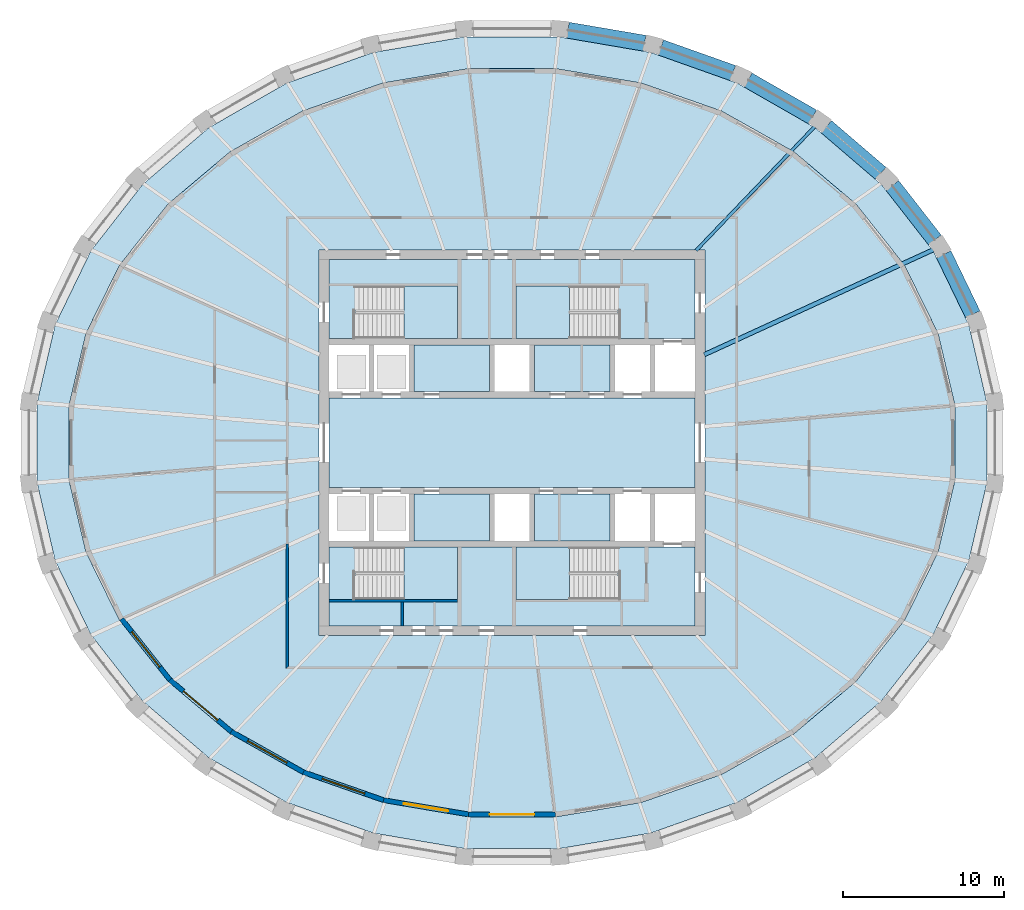
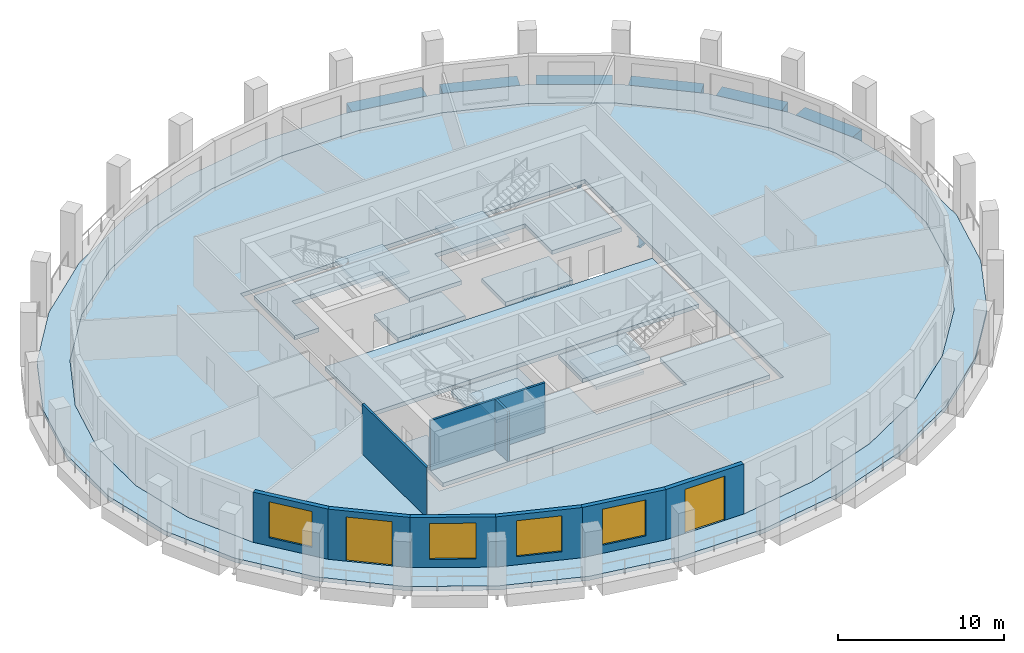
# One storey, part 2 of 10: 13 slabs, 9 walls, 8 beams, 4 windows, 2 doors, 6 openings, 4 elements without a shape of their own.
"""IFC4 building model written with IfcOpenShell, lengths in metres."""

from ifc_helpers import new_model, si_unit, direction, frame, frame_2d, origin, origin_2d, place, context, subcontext, project, spatial, polyline, rectangle, i_section, outline, extrude, material, layer, layer_set, material_profile, profile_set, type_object, element, fill, aggregate, save


model = new_model("IFC4")

# Units and contexts
model_context = context("Model", 3, precision=1e-05, world=origin(), true_north=direction((0.0, 1.0)))
body_context = subcontext(model_context, "Body", "Model", "MODEL_VIEW")
ifc_project = project(units=[si_unit("LENGTHUNIT", "METRE"), si_unit("AREAUNIT", "SQUARE_METRE"), si_unit("VOLUMEUNIT", "CUBIC_METRE"), si_unit("PLANEANGLEUNIT", "RADIAN"), si_unit("MASSUNIT", "GRAM", prefix="KILO")], contexts=[model_context])

# Site, building, storey
site_placement = place(None, origin())
site = spatial("IfcSite", under=ifc_project, at=site_placement, CompositionType="ELEMENT")
building_placement = place(site_placement, origin())
building = spatial("IfcBuilding", under=site, at=building_placement, Name="Halqa Exchange Tower", CompositionType="ELEMENT")
storey_placement = place(building_placement, frame((0.0, 0.0, 260.300048828125)))
storey = spatial("IfcBuildingStorey", under=building, at=storey_placement, Name="L60", CompositionType="ELEMENT", Elevation=260.300048828125)

# Beams
ifc_material_1 = material(Name="Steel S355", Category="steel")
ifc_material_profile_1 = material_profile(ifc_material_1, i_section(OverallWidth=0.18994140625, OverallDepth=0.449951171875, WebThickness=0.009521484375, FlangeThickness=0.0146484375, FilletRadius=0.02099609375, at=origin_2d()), Name="IPE 450")
ifc_profile_set_1 = profile_set([ifc_material_profile_1], Name="Steel S355")
beam_type_1 = type_object("IfcBeamType", Name="Floor beam IPE 450", PredefinedType="BEAM", material=ifc_profile_set_1)
beam_1_placement = place(storey_placement, frame((11.462890625, 11.97216796875, -0.525146484375), z_axis=(0.691571250257, 0.722308248477, 0.0), x_axis=(-0.722308248477, 0.691571250257, 0.0)))
element("IfcBeam", 1, at=beam_1_placement, inside=storey, type_object=beam_type_1, Name="Radial beam 5", PredefinedType="BEAM", context=body_context, shape_type="SweptSolid", body=[
    extrude(i_section(OverallWidth=0.18994140625, OverallDepth=0.449951171875, WebThickness=0.009521484375, FlangeThickness=0.0146484375, FilletRadius=0.02099609375, at=origin_2d()), origin(), (0.0, 0.0, 1.0), 10.8896484375),
])
ifc_material_profile_2 = material_profile(ifc_material_1, i_section(OverallWidth=0.264892578125, OverallDepth=0.7529296875, WebThickness=0.01318359375, FlangeThickness=0.01708984375, FilletRadius=0.01708984375, at=origin_2d()), Name="IPE 750x147")
ifc_profile_set_2 = profile_set([ifc_material_profile_2], Name="Steel S355")
beam_type_2 = type_object("IfcBeamType", Name="Floor beam IPE 750x147", PredefinedType="BEAM", material=ifc_profile_set_2)
beam_2_placement = place(storey_placement, frame((11.972412109375, 5.485107421875, -0.676513671875), z_axis=(0.909125405475, 0.416522504938, 0.0), x_axis=(-0.416522504938, 0.909125405475, 0.0)))
element("IfcBeam", 2, at=beam_2_placement, inside=storey, type_object=beam_type_2, Name="Radial beam 3", PredefinedType="BEAM", context=body_context, shape_type="SweptSolid", body=[
    extrude(i_section(OverallWidth=0.264892578125, OverallDepth=0.7529296875, WebThickness=0.01318359375, FlangeThickness=0.01708984375, FilletRadius=0.01708984375, at=origin_2d()), origin(), (0.0, 0.0, 1.0), 15.897216796875),
])
ifc_material_2 = material(Name="Concrete C60/75", Category="concrete")
ifc_material_profile_3 = material_profile(ifc_material_2, rectangle(XDim=1.0, YDim=0.89990234375, at=origin_2d()), Name="1000 x 900")
ifc_profile_set_3 = profile_set([ifc_material_profile_3], Name="Concrete C60/75")
beam_type_3 = type_object("IfcBeamType", Name="RC spandrel beam 1000 x 900 C60/75", PredefinedType="SPANDREL", material=ifc_profile_set_3)
beam_3_placement = place(storey_placement, frame((28.68115234375, 7.989501953125, -0.449951171875), z_axis=(-0.435052831025, 0.900404927917, 0.0), x_axis=(-0.900404927917, -0.435052831025, 0.0)))
element("IfcBeam", 3, at=beam_3_placement, inside=storey, type_object=beam_type_3, Name="Spandrel 2", PredefinedType="SPANDREL", context=body_context, shape_type="SweptSolid", body=[
    extrude(rectangle(XDim=1.0, YDim=0.89990234375, at=origin_2d()), origin(), (0.0, 0.0, 1.0), 4.15771484375),
])
beam_4_placement = place(storey_placement, frame((26.32080078125, 12.62060546875, -0.449951171875), z_axis=(-0.614851813623, 0.788642661339, 0.0), x_axis=(-0.788642661339, -0.614851813623, 0.0)))
element("IfcBeam", 4, at=beam_4_placement, inside=storey, type_object=beam_type_3, Name="Spandrel 3", PredefinedType="SPANDREL", context=body_context, shape_type="SweptSolid", body=[
    extrude(rectangle(XDim=1.0, YDim=0.89990234375, at=origin_2d()), origin(), (0.0, 0.0, 1.0), 4.301513671875),
])
beam_5_placement = place(storey_placement, frame((22.955078125, 16.7685546875, -0.449951171875), z_axis=(-0.75927203536, 0.650773367864, 0.0), x_axis=(-0.650773367864, -0.75927203536, 0.0)))
element("IfcBeam", 5, at=beam_5_placement, inside=storey, type_object=beam_type_3, Name="Spandrel 4", PredefinedType="SPANDREL", context=body_context, shape_type="SweptSolid", body=[
    extrude(rectangle(XDim=1.0, YDim=0.89990234375, at=origin_2d()), origin(), (0.0, 0.0, 1.0), 4.466552734375),
])
beam_6_placement = place(storey_placement, frame((18.7109375, 20.277099609375, -0.449951171875), z_axis=(-0.867755612748, 0.496991143326, 0.0), x_axis=(-0.496991143326, -0.867755612748, 0.0)))
element("IfcBeam", 6, at=beam_6_placement, inside=storey, type_object=beam_type_3, Name="Spandrel 5", PredefinedType="SPANDREL", context=body_context, shape_type="SweptSolid", body=[
    extrude(rectangle(XDim=1.0, YDim=0.89990234375, at=origin_2d()), origin(), (0.0, 0.0, 1.0), 4.62646484375),
])
beam_7_placement = place(storey_placement, frame((13.747802734375, 23.01220703125, -0.449951171875), z_axis=(-0.942372957307, 0.334564208094, 0.0), x_axis=(-0.334564208094, -0.942372957307, 0.0)))
element("IfcBeam", 7, at=beam_7_placement, inside=storey, type_object=beam_type_3, Name="Spandrel 6", PredefinedType="SPANDREL", context=body_context, shape_type="SweptSolid", body=[
    extrude(rectangle(XDim=1.0, YDim=0.89990234375, at=origin_2d()), origin(), (0.0, 0.0, 1.0), 4.7578125),
])
beam_8_placement = place(storey_placement, frame((8.252685546875, 24.867919921875, -0.449951171875), z_axis=(-0.985781051948, 0.168034870249, 0.0), x_axis=(-0.168034870249, -0.985781051948, 0.0)))
element("IfcBeam", 8, at=beam_8_placement, inside=storey, type_object=beam_type_3, Name="Spandrel 7", PredefinedType="SPANDREL", context=body_context, shape_type="SweptSolid", body=[
    extrude(rectangle(XDim=1.0, YDim=0.89990234375, at=origin_2d()), origin(), (0.0, 0.0, 1.0), 4.843994140625),
])

# Slabs
ifc_layer_1 = layer(ifc_material_2, 0.300048828125)
ifc_layer_set_1 = layer_set([ifc_layer_1], Name="Concrete C60/75")
slab_type_1 = type_object("IfcSlabType", Name="Core floor slab 300", PredefinedType="FLOOR", material=ifc_layer_set_1)
slab_1_placement = place(storey_placement, frame((0.0, 0.0, -0.300048828125)))
element("IfcSlab", 9, at=slab_1_placement, inside=storey, type_object=slab_type_1, Name="Core floor slab", PredefinedType="FLOOR", context=body_context, shape_type="SweptSolid", body=[
    extrude(outline(polyline([(-11.39990234375, 2.800048828125), (11.39990234375, 2.800048828125), (11.39990234375, -2.800048828125), (-11.39990234375, -2.800048828125), (-11.39990234375, 2.800048828125)])), origin(), (0.0, 0.0, 1.0), 0.300048828125),
])
slab_2_placement = place(storey_placement, frame((0.0, 0.0, -0.300048828125)))
element("IfcSlab", 10, at=slab_2_placement, inside=storey, type_object=slab_type_1, Name="Core floor slab", PredefinedType="FLOOR", context=body_context, shape_type="SweptSolid", body=[
    extrude(outline(polyline([(-11.39990234375, 11.39990234375), (11.39990234375, 11.39990234375), (11.39990234375, 6.5), (6.550048828125, 6.5), (6.550048828125, 9.75), (0.25, 9.75), (0.25, 6.5), (-3.39990234375, 6.5), (-3.39990234375, 9.75), (-9.699951171875, 9.75), (-9.699951171875, 6.5), (-11.39990234375, 6.5), (-11.39990234375, 11.39990234375)])), origin(), (0.0, 0.0, 1.0), 0.300048828125),
])
slab_3_placement = place(storey_placement, frame((0.0, 0.0, -0.300048828125)))
element("IfcSlab", 11, at=slab_3_placement, inside=storey, type_object=slab_type_1, Name="Core floor slab", PredefinedType="FLOOR", context=body_context, shape_type="SweptSolid", body=[
    extrude(outline(polyline([(-11.39990234375, -6.5), (-9.699951171875, -6.5), (-9.699951171875, -9.75), (-3.39990234375, -9.75), (-3.39990234375, -6.5), (0.25, -6.5), (0.25, -9.75), (6.550048828125, -9.75), (6.550048828125, -6.5), (11.39990234375, -6.5), (11.39990234375, -11.39990234375), (-11.39990234375, -11.39990234375), (-11.39990234375, -6.5)])), origin(), (0.0, 0.0, 1.0), 0.300048828125),
])
slab_4_placement = place(storey_placement, frame((0.0, 0.0, -0.300048828125)))
element("IfcSlab", 12, at=slab_4_placement, inside=storey, type_object=slab_type_1, Name="Core floor slab", PredefinedType="FLOOR", context=body_context, shape_type="SweptSolid", body=[
    extrude(outline(polyline([(-1.39990234375, -3.199951171875), (-1.39990234375, -6.10009765625), (-6.10009765625, -6.10009765625), (-6.10009765625, -3.199951171875), (-1.39990234375, -3.199951171875)])), origin(), (0.0, 0.0, 1.0), 0.300048828125),
])
slab_5_placement = place(storey_placement, frame((0.0, 0.0, -0.300048828125)))
element("IfcSlab", 13, at=slab_5_placement, inside=storey, type_object=slab_type_1, Name="Core floor slab", PredefinedType="FLOOR", context=body_context, shape_type="SweptSolid", body=[
    extrude(outline(polyline([(-1.39990234375, 3.199951171875), (-6.10009765625, 3.199951171875), (-6.10009765625, 6.10009765625), (-1.39990234375, 6.10009765625), (-1.39990234375, 3.199951171875)])), origin(), (0.0, 0.0, 1.0), 0.300048828125),
])
slab_6_placement = place(storey_placement, frame((0.0, 0.0, -0.300048828125)))
element("IfcSlab", 14, at=slab_6_placement, inside=storey, type_object=slab_type_1, Name="Core floor slab", PredefinedType="FLOOR", context=body_context, shape_type="SweptSolid", body=[
    extrude(outline(polyline([(6.10009765625, -3.199951171875), (6.10009765625, -6.10009765625), (1.39990234375, -6.10009765625), (1.39990234375, -3.199951171875), (6.10009765625, -3.199951171875)])), origin(), (0.0, 0.0, 1.0), 0.300048828125),
])
slab_7_placement = place(storey_placement, frame((0.0, 0.0, -0.300048828125)))
element("IfcSlab", 15, at=slab_7_placement, inside=storey, type_object=slab_type_1, Name="Core floor slab", PredefinedType="FLOOR", context=body_context, shape_type="SweptSolid", body=[
    extrude(outline(polyline([(6.10009765625, 6.10009765625), (6.10009765625, 3.199951171875), (1.39990234375, 3.199951171875), (1.39990234375, 6.10009765625), (6.10009765625, 6.10009765625)])), origin(), (0.0, 0.0, 1.0), 0.300048828125),
])
ifc_material_3 = material(Name="Concrete C40/50", Category="concrete")
ifc_layer_2 = layer(ifc_material_3, 0.300048828125)
ifc_layer_set_2 = layer_set([ifc_layer_2], Name="Concrete C40/50")
slab_type_2 = type_object("IfcSlabType", Name="RC floor slab 300", PredefinedType="FLOOR", material=ifc_layer_set_2)
slab_8_placement = place(storey_placement, frame((0.0, 0.0, -0.300048828125)))
element("IfcSlab", 16, at=slab_8_placement, inside=storey, type_object=slab_type_2, Name="Floor slab", PredefinedType="FLOOR", context=body_context, shape_type="SweptSolid", body=[
    extrude(outline(polyline([(27.57861328125, 2.298583984375), (26.514404296875, 6.805908203125), (24.428955078125, 11.048095703125), (21.40478515625, 14.861083984375), (17.560791015625, 18.10009765625), (13.045166015625, 20.64208984375), (8.031494140625, 22.391845703125), (2.711669921875, 23.283447265625), (-2.711669921875, 23.283447265625), (-8.031494140625, 22.391845703125), (-13.045166015625, 20.64208984375), (-17.560791015625, 18.10009765625), (-21.40478515625, 14.861083984375), (-24.428955078125, 11.048095703125), (-26.514404296875, 6.805908203125), (-27.57861328125, 2.298583984375), (-27.57861328125, -2.298583984375), (-26.514404296875, -6.805908203125), (-24.428955078125, -11.048095703125), (-21.40478515625, -14.861083984375), (-17.560791015625, -18.10009765625), (-13.045166015625, -20.64208984375), (-8.031494140625, -22.391845703125), (-2.711669921875, -23.283447265625), (2.711669921875, -23.283447265625), (8.031494140625, -22.391845703125), (13.045166015625, -20.64208984375), (17.560791015625, -18.10009765625), (21.40478515625, -14.861083984375), (24.428955078125, -11.048095703125), (26.514404296875, -6.805908203125), (27.57861328125, -2.298583984375), (27.57861328125, 2.298583984375)]), holes=[polyline([(-12.0, -12.0), (12.0, -12.0), (12.0, 12.0), (-12.0, 12.0), (-12.0, -12.0)])]), origin(), (0.0, 0.0, 1.0), 0.300048828125),
])
ifc_layer_3 = layer(ifc_material_3, 0.300048828125)
ifc_layer_set_3 = layer_set([ifc_layer_3], Name="Concrete C40/50")
slab_type_3 = type_object("IfcSlabType", Name="RC loggia slab 300", PredefinedType="FLOOR", material=ifc_layer_set_3)
slab_9_placement = place(storey_placement, frame((0.0, 0.0, -0.300048828125)))
element("IfcSlab", 17, at=slab_9_placement, inside=storey, type_object=slab_type_3, Name="Loggia slab", PredefinedType="FLOOR", context=body_context, shape_type="SweptSolid", body=[
    extrude(outline(polyline([(29.56494140625, 2.480712890625), (29.56494140625, -2.480712890625), (28.43505859375, -7.349609375), (26.21630859375, -11.94140625), (22.989501953125, -16.080322265625), (18.875732421875, -19.6064453125), (14.031494140625, -22.380859375), (8.64306640625, -24.294189453125), (2.918701171875, -25.27001953125), (-2.918701171875, -25.27001953125), (-8.64306640625, -24.294189453125), (-14.031494140625, -22.380859375), (-18.875732421875, -19.6064453125), (-22.989501953125, -16.080322265625), (-26.21630859375, -11.94140625), (-28.43505859375, -7.349609375), (-29.56494140625, -2.480712890625), (-29.56494140625, 2.480712890625), (-28.43505859375, 7.349609375), (-26.21630859375, 11.94140625), (-22.989501953125, 16.080322265625), (-18.875732421875, 19.6064453125), (-14.031494140625, 22.380859375), (-8.64306640625, 24.294189453125), (-2.918701171875, 25.27001953125), (2.918701171875, 25.27001953125), (8.64306640625, 24.294189453125), (14.031494140625, 22.380859375), (18.875732421875, 19.6064453125), (22.989501953125, 16.080322265625), (26.21630859375, 11.94140625), (28.43505859375, 7.349609375), (29.56494140625, 2.480712890625)]), holes=[polyline([(27.57861328125, 2.298583984375), (26.514404296875, 6.805908203125), (24.428955078125, 11.048095703125), (21.40478515625, 14.861083984375), (17.560791015625, 18.10009765625), (13.045166015625, 20.64208984375), (8.031494140625, 22.391845703125), (2.711669921875, 23.283447265625), (-2.711669921875, 23.283447265625), (-8.031494140625, 22.391845703125), (-13.045166015625, 20.64208984375), (-17.560791015625, 18.10009765625), (-21.40478515625, 14.861083984375), (-24.428955078125, 11.048095703125), (-26.514404296875, 6.805908203125), (-27.57861328125, 2.298583984375), (-27.57861328125, -2.298583984375), (-26.514404296875, -6.805908203125), (-24.428955078125, -11.048095703125), (-21.40478515625, -14.861083984375), (-17.560791015625, -18.10009765625), (-13.045166015625, -20.64208984375), (-8.031494140625, -22.391845703125), (-2.711669921875, -23.283447265625), (2.711669921875, -23.283447265625), (8.031494140625, -22.391845703125), (13.045166015625, -20.64208984375), (17.560791015625, -18.10009765625), (21.40478515625, -14.861083984375), (24.428955078125, -11.048095703125), (26.514404296875, -6.805908203125), (27.57861328125, -2.298583984375), (27.57861328125, 2.298583984375)])]), origin(), (0.0, 0.0, 1.0), 0.300048828125),
])

# Stair, slab
ifc_material_4 = material(Name="Concrete C30/37", Category="concrete")
stair_type = type_object("IfcStairType", Name="Exit stair 1500 wide", PredefinedType="HALF_TURN_STAIR", material=ifc_material_4)
stair_1_placement = place(storey_placement, origin())
stair_1 = element("IfcStair", 18, at=stair_1_placement, inside=storey, type_object=stair_type, Name="Exit stair ST1", PredefinedType="HALF_TURN_STAIR")
ifc_layer_4 = layer(ifc_material_4, 0.199951171875)
ifc_layer_set_4 = layer_set([ifc_layer_4], Name="Concrete C30/37")
slab_type_4 = type_object("IfcSlabType", Name="Stair landing 200 slab", PredefinedType="LANDING", material=ifc_layer_set_4)
slab_10_placement = place(storey_placement, frame((0.0, 0.0, 1.800048828125)))
slab_10 = element("IfcSlab", 19, at=slab_10_placement, type_object=slab_type_4, Name="ST1 landing 1", PredefinedType="LANDING", context=body_context, shape_type="SweptSolid", body=[
    extrude(outline(polyline([(-6.719970703125, 6.5), (-3.39990234375, 6.5), (-3.39990234375, 9.75), (-6.719970703125, 9.75), (-6.719970703125, 6.5)])), origin(), (0.0, 0.0, 1.0), 0.199951171875),
])
aggregate(stair_1, [slab_10])

stair_2_placement = place(storey_placement, origin())
stair_2 = element("IfcStair", 20, at=stair_2_placement, inside=storey, type_object=stair_type, Name="Exit stair ST2", PredefinedType="HALF_TURN_STAIR")
slab_11_placement = place(storey_placement, frame((0.0, 0.0, 1.800048828125)))
slab_11 = element("IfcSlab", 21, at=slab_11_placement, type_object=slab_type_4, Name="ST2 landing 1", PredefinedType="LANDING", context=body_context, shape_type="SweptSolid", body=[
    extrude(outline(polyline([(0.25, 6.5), (3.570068359375, 6.5), (3.570068359375, 9.75), (0.25, 9.75), (0.25, 6.5)])), origin(), (0.0, 0.0, 1.0), 0.199951171875),
])
aggregate(stair_2, [slab_11])

stair_3_placement = place(storey_placement, origin())
stair_3 = element("IfcStair", 22, at=stair_3_placement, inside=storey, type_object=stair_type, Name="Exit stair ST3", PredefinedType="HALF_TURN_STAIR")
slab_12_placement = place(storey_placement, frame((0.0, 0.0, 1.800048828125)))
slab_12 = element("IfcSlab", 23, at=slab_12_placement, type_object=slab_type_4, Name="ST3 landing 1", PredefinedType="LANDING", context=body_context, shape_type="SweptSolid", body=[
    extrude(outline(polyline([(-6.719970703125, -9.75), (-3.39990234375, -9.75), (-3.39990234375, -6.5), (-6.719970703125, -6.5), (-6.719970703125, -9.75)])), origin(), (0.0, 0.0, 1.0), 0.199951171875),
])
aggregate(stair_3, [slab_12])

stair_4_placement = place(storey_placement, origin())
stair_4 = element("IfcStair", 24, at=stair_4_placement, inside=storey, type_object=stair_type, Name="Exit stair ST4", PredefinedType="HALF_TURN_STAIR")
slab_13_placement = place(storey_placement, frame((0.0, 0.0, 1.800048828125)))
slab_13 = element("IfcSlab", 25, at=slab_13_placement, type_object=slab_type_4, Name="ST4 landing 1", PredefinedType="LANDING", context=body_context, shape_type="SweptSolid", body=[
    extrude(outline(polyline([(0.25, -9.75), (3.570068359375, -9.75), (3.570068359375, -6.5), (0.25, -6.5), (0.25, -9.75)])), origin(), (0.0, 0.0, 1.0), 0.199951171875),
])
aggregate(stair_4, [slab_13])

# Walls
ifc_material_5 = material(Name="Fire-rated gypsum board")
ifc_layer_5 = layer(ifc_material_5, 0.14990234375)
ifc_layer_set_5 = layer_set([ifc_layer_5], Name="Fire-rated gypsum board")
wall_type_1 = type_object("IfcWallType", Name="Fire partition EI 60 150", PredefinedType="PARTITIONING", material=ifc_layer_set_5)
wall_1_placement = place(storey_placement, frame((-14.0, -14.074951171875, 0.0), z_axis=(0.0, 0.0, 1.0), x_axis=(0.0, 1.0, 0.0)))
element("IfcWall", 26, at=wall_1_placement, inside=storey, type_object=wall_type_1, Name="L60-PWL-006", PredefinedType="PARTITIONING", context=body_context, shape_type="SweptSolid", body=[
    extrude(outline(polyline([(7.77490234375, 0.074951171875), (5.8310546875, 0.074951171875), (3.887451171875, 0.074951171875), (1.94384765625, 0.074951171875), (0.0, 0.074951171875), (0.14990234375, -0.074951171875), (2.05615234375, -0.074951171875), (3.96240234375, -0.074951171875), (5.86865234375, -0.074951171875), (7.77490234375, -0.074951171875), (7.77490234375, 0.074951171875)])), origin(), (0.0, 0.0, 1.0), 3.699951171875),
])
ifc_material_6 = material(Name="Gypsum board")
ifc_layer_6 = layer(ifc_material_6, 0.14990234375)
ifc_layer_set_6 = layer_set([ifc_layer_6], Name="Gypsum board")
wall_type_2 = type_object("IfcWallType", Name="Penthouse riser wall 150 gypsum", PredefinedType="PARTITIONING", material=ifc_layer_set_6)
wall_2_placement = place(storey_placement, frame((-6.824951171875, -11.39990234375, 0.0), z_axis=(0.0, 0.0, 1.0), x_axis=(0.0, 1.0, 0.0)))
element("IfcWall", 27, at=wall_2_placement, inside=storey, type_object=wall_type_2, Name="Partition W6.825 S", PredefinedType="PARTITIONING", context=body_context, shape_type="SweptSolid", body=[
    extrude(rectangle(XDim=1.5, YDim=0.14990234375, at=frame_2d((0.75, 0.0))), origin(), (0.0, 0.0, 1.0), 3.699951171875),
])
ifc_layer_7 = layer(ifc_material_4, 0.14990234375)
ifc_layer_set_7 = layer_set([ifc_layer_7], Name="Concrete C30/37")
wall_type_3 = type_object("IfcWallType", Name="RC stair wall 150 C30/37", PredefinedType="SHEAR", material=ifc_layer_set_7)
wall_3_placement = place(storey_placement, frame((-11.39990234375, -9.824951171875, 0.0), z_axis=(0.0, 0.0, 1.0), x_axis=(1.0, 0.0, 0.0)))
element("IfcWall", 28, at=wall_3_placement, inside=storey, type_object=wall_type_3, Name="Stair ST1 north wall S", PredefinedType="SHEAR", context=body_context, shape_type="SweptSolid", body=[
    extrude(rectangle(XDim=8.0, YDim=0.14990234375, at=frame_2d((4.0, 0.0))), origin(), (0.0, 0.0, 1.0), 3.699951171875),
])

# Wall, opening, window
ifc_material_7 = material(Name="Limestone cladding", Category="masonry")
ifc_layer_8 = layer(ifc_material_7, 0.0400390625)
ifc_material_8 = material(Name="Ventilated cavity")
ifc_layer_9 = layer(ifc_material_8, 0.030029296875, ventilated=True)
ifc_material_9 = material(Name="Mineral wool insulation")
ifc_layer_10 = layer(ifc_material_9, 0.10009765625)
ifc_layer_11 = layer(ifc_material_4, 0.10009765625)
ifc_material_10 = material(Name="Internal plaster")
ifc_layer_12 = layer(ifc_material_10, 0.030029296875)
ifc_layer_set_8 = layer_set([ifc_layer_8, ifc_layer_9, ifc_layer_10, ifc_layer_11, ifc_layer_12], Name="Stone-faced insulated wall 300")
wall_type_4 = type_object("IfcWallType", Name="Stone-faced insulated wall 300", PredefinedType="STANDARD", material=ifc_layer_set_8)
wall_4_placement = place(storey_placement, frame((-24.301513671875, -10.96728515625, 0.0), z_axis=(0.0, 0.0, 1.0), x_axis=(0.621358373565, -0.783526497063, 0.0)))
wall_4 = element("IfcWall", 29, at=wall_4_placement, inside=storey, type_object=wall_type_4, Name="Glass-line wall 19", PredefinedType="STANDARD", context=body_context, shape_type="SweptSolid", body=[
    extrude(outline(polyline([(-0.01611328125, -0.14990234375), (4.850830078125, -0.14990234375), (4.820556640625, 0.14990234375), (0.01611328125, 0.14990234375), (-0.01611328125, -0.14990234375)])), origin(), (0.0, 0.0, 1.0), 3.699951171875),
])
opening_1_placement = place(wall_4_placement, frame((1.017578125, 0.0, 0.60009765625)))
opening_1 = element("IfcOpeningElement", 30, at=opening_1_placement, cuts=wall_4, Name="Opening W-F4-19", PredefinedType="OPENING", context=body_context, shape_type="SweptSolid", body=[
    extrude(rectangle(XDim=2.800048828125, YDim=2.64990234375, at=frame_2d((1.39990234375, 1.324951171875))), frame((0.0, 0.162109375, 0.0), z_axis=(0.0, -1.0, 0.0), x_axis=(1.0, 0.0, 0.0)), (0.0, 0.0, 1.0), 0.323974609375),
])
ifc_material_11 = material(Name="Clear low-emissivity glass in aluminium frame", Category="aluminium")
window_type = type_object("IfcWindowType", Name="Fixed clear glazed window 2800 x 2650", PartitioningType="DOUBLE_PANEL_VERTICAL", PredefinedType="WINDOW", material=ifc_material_11)
window_1_placement = place(opening_1_placement, origin())
window_1 = element("IfcWindow", 31, at=window_1_placement, inside=storey, type_object=window_type, Name="Window 4", OverallHeight=2.64990234375, OverallWidth=2.800048828125, PartitioningType="DOUBLE_PANEL_VERTICAL", PredefinedType="WINDOW", context=body_context, shape_type="SweptSolid", body=[
    extrude(rectangle(XDim=2.800048828125, YDim=2.64990234375, at=frame_2d((1.39990234375, 1.324951171875))), frame((0.0, 0.030029296875, 0.0), z_axis=(0.0, -1.0, 0.0), x_axis=(1.0, 0.0, 0.0)), (0.0, 0.0, 1.0), 0.06005859375),
])
fill(opening_1, window_1)

# Wall, opening, door
wall_5_placement = place(storey_placement, frame((-21.296875, -14.756103515625, 0.0), z_axis=(0.0, 0.0, 1.0), x_axis=(0.764746492461, -0.644331283013, 0.0)))
wall_5 = element("IfcWall", 32, at=wall_5_placement, inside=storey, type_object=wall_type_4, Name="Glass-line wall 20", PredefinedType="STANDARD", context=body_context, shape_type="SweptSolid", body=[
    extrude(outline(polyline([(-0.01513671875, -0.14990234375), (5.011962890625, -0.14990234375), (4.983642578125, 0.14990234375), (0.01513671875, 0.14990234375), (-0.01513671875, -0.14990234375)])), origin(), (0.0, 0.0, 1.0), 3.699951171875),
])
opening_2_placement = place(wall_5_placement, frame((1.098876953125, 0.0, 0.0)))
opening_2 = element("IfcOpeningElement", 33, at=opening_2_placement, cuts=wall_5, Name="Opening LG-F4-05", PredefinedType="OPENING", context=body_context, shape_type="SweptSolid", body=[
    extrude(rectangle(XDim=2.800048828125, YDim=3.25, at=frame_2d((1.39990234375, 1.625))), frame((0.0, 0.162109375, 0.0), z_axis=(0.0, -1.0, 0.0), x_axis=(1.0, 0.0, 0.0)), (0.0, 0.0, 1.0), 0.323974609375),
])
door_type = type_object("IfcDoorType", Name="Glazed sliding loggia door 2800 x 3250", OperationType="DOUBLE_DOOR_SLIDING", PredefinedType="DOOR", material=ifc_material_11)
door_1_placement = place(opening_2_placement, origin())
door_1 = element("IfcDoor", 34, at=door_1_placement, inside=storey, type_object=door_type, Name="Loggia door 5", OperationType="DOUBLE_DOOR_SLIDING", OverallHeight=3.25, OverallWidth=2.800048828125, PredefinedType="DOOR", context=body_context, shape_type="SweptSolid", body=[
    extrude(rectangle(XDim=2.800048828125, YDim=3.25, at=frame_2d((1.39990234375, 1.625))), frame((0.0, 0.02490234375, 0.0), z_axis=(0.0, -1.0, 0.0), x_axis=(1.0, 0.0, 0.0)), (0.0, 0.0, 1.0), 0.050048828125),
])
fill(opening_2, door_1)

# Wall, opening, window
wall_6_placement = place(storey_placement, frame((-17.474853515625, -17.976318359375, 0.0), z_axis=(0.0, 0.0, 1.0), x_axis=(0.871411047742, -0.490553550465, 0.0)))
wall_6 = element("IfcWall", 35, at=wall_6_placement, inside=storey, type_object=wall_type_4, Name="Glass-line wall 21", PredefinedType="STANDARD", context=body_context, shape_type="SweptSolid", body=[
    extrude(outline(polyline([(-0.01416015625, -0.14990234375), (5.16796875, -0.14990234375), (5.14111328125, 0.14990234375), (0.01416015625, 0.14990234375), (-0.01416015625, -0.14990234375)])), origin(), (0.0, 0.0, 1.0), 3.699951171875),
])
opening_3_placement = place(wall_6_placement, frame((1.17724609375, 0.0, 0.60009765625)))
opening_3 = element("IfcOpeningElement", 36, at=opening_3_placement, cuts=wall_6, Name="Opening W-F4-21", PredefinedType="OPENING", context=body_context, shape_type="SweptSolid", body=[
    extrude(rectangle(XDim=2.800048828125, YDim=2.64990234375, at=frame_2d((1.39990234375, 1.324951171875))), frame((0.0, 0.162109375, 0.0), z_axis=(0.0, -1.0, 0.0), x_axis=(1.0, 0.0, 0.0)), (0.0, 0.0, 1.0), 0.323974609375),
])
window_2_placement = place(opening_3_placement, origin())
window_2 = element("IfcWindow", 37, at=window_2_placement, inside=storey, type_object=window_type, Name="Window 4", OverallHeight=2.64990234375, OverallWidth=2.800048828125, PartitioningType="DOUBLE_PANEL_VERTICAL", PredefinedType="WINDOW", context=body_context, shape_type="SweptSolid", body=[
    extrude(rectangle(XDim=2.800048828125, YDim=2.64990234375, at=frame_2d((1.39990234375, 1.324951171875))), frame((0.0, 0.030029296875, 0.0), z_axis=(0.0, -1.0, 0.0), x_axis=(1.0, 0.0, 0.0)), (0.0, 0.0, 1.0), 0.06005859375),
])
fill(opening_3, window_2)

wall_7_placement = place(storey_placement, frame((-12.983154296875, -20.5048828125, 0.0), z_axis=(0.0, 0.0, 1.0), x_axis=(0.944149712872, -0.32951679727, 0.0)))
wall_7 = element("IfcWall", 38, at=wall_7_placement, inside=storey, type_object=wall_type_4, Name="Glass-line wall 22", PredefinedType="STANDARD", context=body_context, shape_type="SweptSolid", body=[
    extrude(outline(polyline([(-0.013427734375, -0.14990234375), (5.296875, -0.14990234375), (5.271484375, 0.14990234375), (0.013427734375, 0.14990234375), (-0.013427734375, -0.14990234375)])), origin(), (0.0, 0.0, 1.0), 3.699951171875),
])
opening_4_placement = place(wall_7_placement, frame((1.241943359375, 0.0, 0.60009765625)))
opening_4 = element("IfcOpeningElement", 39, at=opening_4_placement, cuts=wall_7, Name="Opening W-F4-22", PredefinedType="OPENING", context=body_context, shape_type="SweptSolid", body=[
    extrude(rectangle(XDim=2.800048828125, YDim=2.64990234375, at=frame_2d((1.39990234375, 1.324951171875))), frame((0.0, 0.162109375, 0.0), z_axis=(0.0, -1.0, 0.0), x_axis=(1.0, 0.0, 0.0)), (0.0, 0.0, 1.0), 0.323974609375),
])
window_3_placement = place(opening_4_placement, origin())
window_3 = element("IfcWindow", 40, at=window_3_placement, inside=storey, type_object=window_type, Name="Window 4", OverallHeight=2.64990234375, OverallWidth=2.800048828125, PartitioningType="DOUBLE_PANEL_VERTICAL", PredefinedType="WINDOW", context=body_context, shape_type="SweptSolid", body=[
    extrude(rectangle(XDim=2.800048828125, YDim=2.64990234375, at=frame_2d((1.39990234375, 1.324951171875))), frame((0.0, 0.030029296875, 0.0), z_axis=(0.0, -1.0, 0.0), x_axis=(1.0, 0.0, 0.0)), (0.0, 0.0, 1.0), 0.06005859375),
])
fill(opening_4, window_3)

wall_8_placement = place(storey_placement, frame((-7.994140625, -22.24609375, 0.0), z_axis=(0.0, 0.0, 1.0), x_axis=(0.986243571741, -0.165298569867, 0.0)))
wall_8 = element("IfcWall", 41, at=wall_8_placement, inside=storey, type_object=wall_type_4, Name="Glass-line wall 23", PredefinedType="STANDARD", context=body_context, shape_type="SweptSolid", body=[
    extrude(outline(polyline([(-0.0126953125, -0.14990234375), (5.38134765625, -0.14990234375), (5.3564453125, 0.14990234375), (0.0126953125, 0.14990234375), (-0.0126953125, -0.14990234375)])), origin(), (0.0, 0.0, 1.0), 3.699951171875),
])
opening_5_placement = place(wall_8_placement, frame((1.284423828125, 0.0, 0.60009765625)))
opening_5 = element("IfcOpeningElement", 42, at=opening_5_placement, cuts=wall_8, Name="Opening W-F4-23", PredefinedType="OPENING", context=body_context, shape_type="SweptSolid", body=[
    extrude(rectangle(XDim=2.800048828125, YDim=2.64990234375, at=frame_2d((1.39990234375, 1.324951171875))), frame((0.0, 0.162109375, 0.0), z_axis=(0.0, -1.0, 0.0), x_axis=(1.0, 0.0, 0.0)), (0.0, 0.0, 1.0), 0.323974609375),
])
window_4_placement = place(opening_5_placement, origin())
window_4 = element("IfcWindow", 43, at=window_4_placement, inside=storey, type_object=window_type, Name="Window 4", OverallHeight=2.64990234375, OverallWidth=2.800048828125, PartitioningType="DOUBLE_PANEL_VERTICAL", PredefinedType="WINDOW", context=body_context, shape_type="SweptSolid", body=[
    extrude(rectangle(XDim=2.800048828125, YDim=2.64990234375, at=frame_2d((1.39990234375, 1.324951171875))), frame((0.0, 0.030029296875, 0.0), z_axis=(0.0, -1.0, 0.0), x_axis=(1.0, 0.0, 0.0)), (0.0, 0.0, 1.0), 0.06005859375),
])
fill(opening_5, window_4)

# Wall, opening, door
wall_9_placement = place(storey_placement, frame((-2.69921875, -23.133544921875, 0.0), z_axis=(0.0, 0.0, 1.0), x_axis=(1.0, 0.0, 0.0)))
wall_9 = element("IfcWall", 44, at=wall_9_placement, inside=storey, type_object=wall_type_4, Name="Glass-line wall 24", PredefinedType="STANDARD", context=body_context, shape_type="SweptSolid", body=[
    extrude(outline(polyline([(-0.012451171875, -0.14990234375), (5.410888671875, -0.14990234375), (5.385986328125, 0.14990234375), (0.012451171875, 0.14990234375), (-0.012451171875, -0.14990234375)])), origin(), (0.0, 0.0, 1.0), 3.699951171875),
])
opening_6_placement = place(wall_9_placement, frame((1.29931640625, 0.0, 0.0)))
opening_6 = element("IfcOpeningElement", 45, at=opening_6_placement, cuts=wall_9, Name="Opening LG-F4-06", PredefinedType="OPENING", context=body_context, shape_type="SweptSolid", body=[
    extrude(rectangle(XDim=2.800048828125, YDim=3.25, at=frame_2d((1.39990234375, 1.625))), frame((0.0, 0.162109375, 0.0), z_axis=(0.0, -1.0, 0.0), x_axis=(1.0, 0.0, 0.0)), (0.0, 0.0, 1.0), 0.323974609375),
])
door_2_placement = place(opening_6_placement, origin())
door_2 = element("IfcDoor", 46, at=door_2_placement, inside=storey, type_object=door_type, Name="Loggia door 6", OperationType="DOUBLE_DOOR_SLIDING", OverallHeight=3.25, OverallWidth=2.800048828125, PredefinedType="DOOR", context=body_context, shape_type="SweptSolid", body=[
    extrude(rectangle(XDim=2.800048828125, YDim=3.25, at=frame_2d((1.39990234375, 1.625))), frame((0.0, 0.02490234375, 0.0), z_axis=(0.0, -1.0, 0.0), x_axis=(1.0, 0.0, 0.0)), (0.0, 0.0, 1.0), 0.050048828125),
])
fill(opening_6, door_2)

save(model, "model.ifc")
